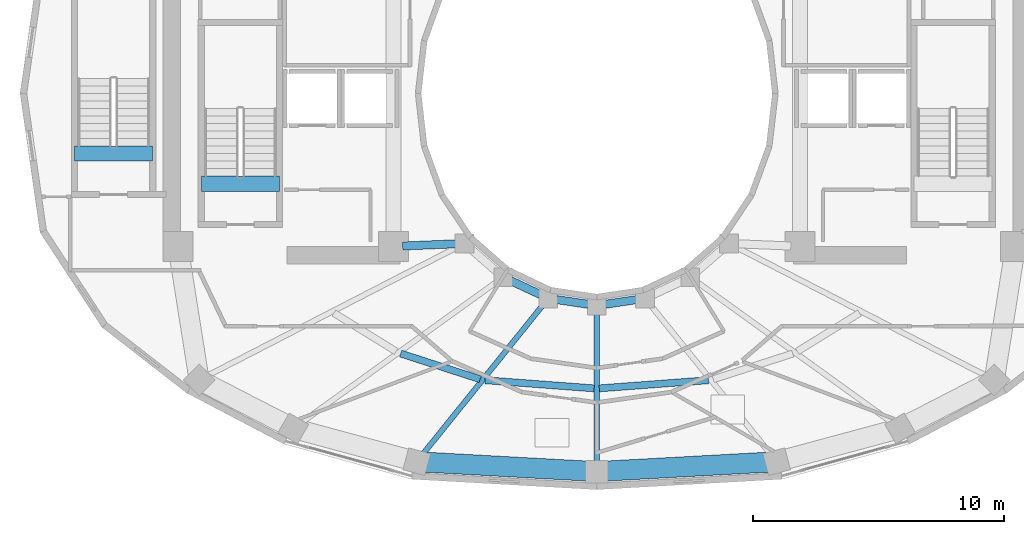
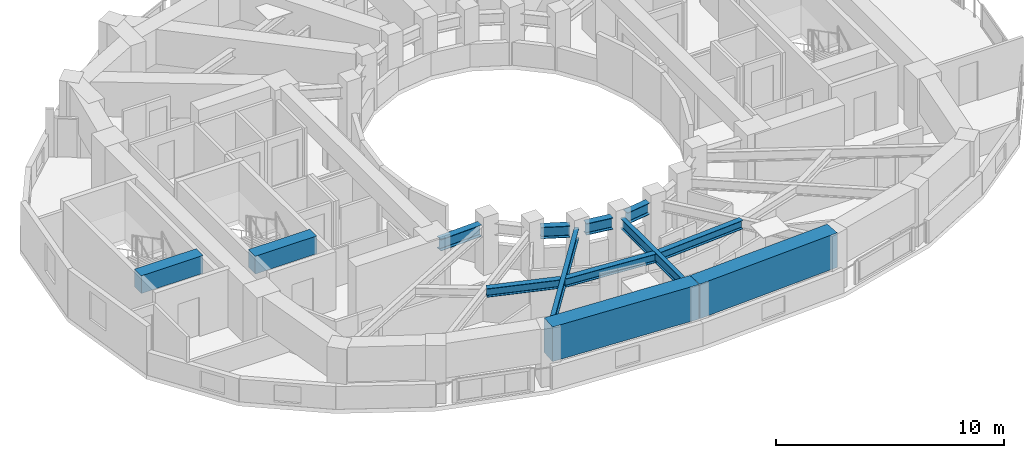
# One storey, part 3 of 20: 13 beams.
"""IFC4 building model written with IfcOpenShell, lengths in metres."""

from ifc_helpers import new_model, si_unit, direction, frame, origin, origin_2d, place, context, subcontext, project, spatial, rectangle, i_section, extrude, material, material_profile, profile_set, type_object, element, save


model = new_model("IFC4")

# Units and contexts
model_context = context("Model", 3, precision=1e-05, world=origin(), true_north=direction((0.0, 1.0)))
body_context = subcontext(model_context, "Body", "Model", "MODEL_VIEW")
ifc_project = project(units=[si_unit("LENGTHUNIT", "METRE"), si_unit("AREAUNIT", "SQUARE_METRE"), si_unit("VOLUMEUNIT", "CUBIC_METRE"), si_unit("PLANEANGLEUNIT", "RADIAN"), si_unit("MASSUNIT", "GRAM", prefix="KILO")], contexts=[model_context])

# Site, building, storey
site_placement = place(None, origin())
site = spatial("IfcSite", under=ifc_project, at=site_placement, CompositionType="ELEMENT")
building_placement = place(site_placement, origin())
building = spatial("IfcBuilding", under=site, at=building_placement, Name="Solvane Sanctuary Tower", CompositionType="ELEMENT")
storey_placement = place(building_placement, frame((0.0, 0.0, 159.10009765625)))
storey = spatial("IfcBuildingStorey", under=building, at=storey_placement, Name="L48", CompositionType="ELEMENT", Elevation=159.10009765625)

# Beams
ifc_material_1 = material(Name="Concrete C70/85", Category="concrete")
ifc_material_profile_1 = material_profile(ifc_material_1, rectangle(XDim=0.60009765625, YDim=0.949951171875, at=origin_2d()), Name="RC600X950")
ifc_profile_set_1 = profile_set([ifc_material_profile_1], Name="Concrete C70/85")
beam_type_1 = type_object("IfcBeamType", Name="Beam B-COUPLE RC600X950", PredefinedType="LINTEL", material=ifc_profile_set_1)
for number, where, z_axis, x_axis, name in (
    (1, (16.22998046875, 19.399169921875, 2.625), (1.0, 0.0, 0.0), (0.0, 1.0, 0.0), "L48 ST-1 Stair Floor Landing Trimmer"),
    (2, (11.169921875, 20.59912109375, 2.625), (1.0, 0.0, 0.0), (0.0, 1.0, 0.0), "L48 ST-3 Stair Floor Landing Trimmer"),
):
    element("IfcBeam", number, at=place(storey_placement, frame(where, z_axis=z_axis, x_axis=x_axis)), inside=storey, type_object=beam_type_1, Name=name, PredefinedType="LINTEL", context=body_context, shape_type="SweptSolid", body=[
        extrude(rectangle(XDim=0.60009765625, YDim=0.949951171875, at=origin_2d()), origin(), (0.0, 0.0, 1.0), 3.1201171875),
    ])
ifc_material_2 = material(Name="Steel ASTM A992 Grade 50", Category="steel")
ifc_material_profile_2 = material_profile(ifc_material_2, i_section(OverallWidth=0.214111328125, OverallDepth=0.549072265625, WebThickness=0.0146484375, FlangeThickness=0.023681640625, FilletRadius=0.014892578125, at=origin_2d()), Name="W21X93")
ifc_profile_set_2 = profile_set([ifc_material_profile_2], Name="Steel ASTM A992 Grade 50")
beam_type_2 = type_object("IfcBeamType", Name="Beam B-RAD-Z3 W21X93", PredefinedType="JOIST", material=ifc_profile_set_2)
beam_1_placement = place(storey_placement, frame((29.8935546875, 14.610107421875, 2.323486328125), z_axis=(-0.627296867999, -0.778780225352, 0.0), x_axis=(0.778780225352, -0.627296867999, 0.0)))
element("IfcBeam", 3, at=beam_1_placement, inside=storey, type_object=beam_type_2, Name="L48 Radial Composite Floor Beam 10", PredefinedType="JOIST", context=body_context, shape_type="SweptSolid", body=[
    extrude(i_section(OverallWidth=0.214111328125, OverallDepth=0.549072265625, WebThickness=0.0146484375, FlangeThickness=0.023681640625, FilletRadius=0.014892578125, at=origin_2d()), origin(), (0.0, 0.0, 1.0), 7.805419921875),
])
beam_2_placement = place(storey_placement, frame((32.0, 14.260009765625, 2.323486328125), z_axis=(0.0, -1.0, 0.0), x_axis=(1.0, 0.0, 0.0)))
element("IfcBeam", 4, at=beam_2_placement, inside=storey, type_object=beam_type_2, Name="L48 Radial Composite Floor Beam 11", PredefinedType="JOIST", context=body_context, shape_type="SweptSolid", body=[
    extrude(i_section(OverallWidth=0.214111328125, OverallDepth=0.549072265625, WebThickness=0.0146484375, FlangeThickness=0.023681640625, FilletRadius=0.014892578125, at=origin_2d()), origin(), (0.0, 0.0, 1.0), 6.06005859375),
])
ifc_material_profile_3 = material_profile(ifc_material_2, i_section(OverallWidth=0.324951171875, OverallDepth=0.615966796875, WebThickness=0.013916015625, FlangeThickness=0.021484375, FilletRadius=0.01611328125, at=origin_2d()), Name="W24X117")
ifc_profile_set_3 = profile_set([ifc_material_profile_3], Name="Steel ASTM A992 Grade 50")
beam_type_3 = type_object("IfcBeamType", Name="Beam B-RING-IN2 W24X117", PredefinedType="BEAM", material=ifc_profile_set_3)
beam_3_placement = place(storey_placement, frame((24.259765625, 16.9150390625, 2.289794921875), z_axis=(0.999132674336, 0.041640113759, 0.0), x_axis=(-0.041640113759, 0.999132674336, 0.0)))
element("IfcBeam", 5, at=beam_3_placement, inside=storey, type_object=beam_type_3, Name="L48 Inner Light-Well Ring Beam CW2-IC08", PredefinedType="BEAM", context=body_context, shape_type="SweptSolid", body=[
    extrude(i_section(OverallWidth=0.324951171875, OverallDepth=0.615966796875, WebThickness=0.013916015625, FlangeThickness=0.021484375, FilletRadius=0.01611328125, at=origin_2d()), origin(), (0.0, 0.0, 1.0), 2.12255859375),
])
beam_4_placement = place(storey_placement, frame((28.582275390625, 15.526611328125, 2.289794921875), z_axis=(0.9051808128, -0.425026700502, 0.0), x_axis=(0.425026700502, 0.9051808128, 0.0)))
element("IfcBeam", 6, at=beam_4_placement, inside=storey, type_object=beam_type_3, Name="L48 Inner Light-Well Ring Beam IC09-IC10", PredefinedType="BEAM", context=body_context, shape_type="SweptSolid", body=[
    extrude(i_section(OverallWidth=0.324951171875, OverallDepth=0.615966796875, WebThickness=0.013916015625, FlangeThickness=0.021484375, FilletRadius=0.01611328125, at=origin_2d()), origin(), (0.0, 0.0, 1.0), 1.297607421875),
])
for number, where, z_axis, x_axis, name in (
    (7, (30.410400390625, 14.77734375, 2.289794921875), (0.989019905763, -0.147782360259, 0.0), (0.147782360259, 0.989019905763, 0.0), "L48 Inner Light-Well Ring Beam IC10-IC11"),
    (8, (32.34130859375, 14.5908203125, 2.289794921875), (0.989019905763, 0.147782360259, 0.0), (-0.147782360259, 0.989019905763, 0.0), "L48 Inner Light-Well Ring Beam IC11-IC12"),
):
    element("IfcBeam", number, at=place(storey_placement, frame(where, z_axis=z_axis, x_axis=x_axis)), inside=storey, type_object=beam_type_3, Name=name, PredefinedType="BEAM", context=body_context, shape_type="SweptSolid", body=[
        extrude(i_section(OverallWidth=0.324951171875, OverallDepth=0.615966796875, WebThickness=0.013916015625, FlangeThickness=0.021484375, FilletRadius=0.01611328125, at=origin_2d()), origin(), (0.0, 0.0, 1.0), 1.26220703125),
    ])
ifc_material_profile_4 = material_profile(ifc_material_2, i_section(OverallWidth=0.280029296875, OverallDepth=0.462890625, WebThickness=0.0107421875, FlangeThickness=0.017333984375, FilletRadius=0.013916015625, at=origin_2d()), Name="W18X76")
ifc_profile_set_4 = profile_set([ifc_material_profile_4], Name="Steel ASTM A992 Grade 50")
beam_type_4 = type_object("IfcBeamType", Name="Beam B-SEC-JOIST W18X76", PredefinedType="JOIST", material=ifc_profile_set_4)
beam_5_placement = place(storey_placement, frame((24.18310546875, 12.625732421875, 2.366455078125), z_axis=(0.951499502658, -0.307650282695, 0.0), x_axis=(0.307650282695, 0.951499502658, 0.0)))
element("IfcBeam", 9, at=beam_5_placement, inside=storey, type_object=beam_type_4, Name="L48 Secondary Circumferential Joist 09-10", PredefinedType="JOIST", context=body_context, shape_type="SweptSolid", body=[
    extrude(i_section(OverallWidth=0.280029296875, OverallDepth=0.462890625, WebThickness=0.0107421875, FlangeThickness=0.017333984375, FilletRadius=0.013916015625, at=origin_2d()), origin(), (0.0, 0.0, 1.0), 3.32666015625),
])
for number, where, z_axis, x_axis, name in (
    (10, (27.547119140625, 11.563232421875, 2.366455078125), (0.99721035762, -0.074642498994, 0.0), (0.074642498994, 0.99721035762, 0.0), "L48 Secondary Circumferential Joist 10-11"),
    (11, (32.101806640625, 11.237548828125, 2.366455078125), (0.99721035762, 0.074642498994, 0.0), (-0.074642498994, 0.99721035762, 0.0), "L48 Secondary Circumferential Joist 11-12"),
):
    element("IfcBeam", number, at=place(storey_placement, frame(where, z_axis=z_axis, x_axis=x_axis)), inside=storey, type_object=beam_type_4, Name=name, PredefinedType="JOIST", context=body_context, shape_type="SweptSolid", body=[
        extrude(i_section(OverallWidth=0.280029296875, OverallDepth=0.462890625, WebThickness=0.0107421875, FlangeThickness=0.017333984375, FilletRadius=0.013916015625, at=origin_2d()), origin(), (0.0, 0.0, 1.0), 4.36328125),
    ])
ifc_material_profile_5 = material_profile(ifc_material_1, rectangle(XDim=0.800048828125, YDim=1.85009765625, at=origin_2d()), Name="RC800X1850")
ifc_profile_set_5 = profile_set([ifc_material_profile_5], Name="Concrete C70/85")
beam_type_5 = type_object("IfcBeamType", Name="Beam B-XFER-BLK RC800X1850", PredefinedType="BEAM", material=ifc_profile_set_5)
for number, where, z_axis, x_axis, name in (
    (12, (24.82177734375, 8.313232421875, 2.1748046875), (0.998502279385, -0.054710127613, 0.0), (0.054710127613, 0.998502279385, 0.0), "L48 Perimeter Step Transfer Ring NTC10-NTC11"),
    (13, (32.0, 7.919921875, 2.1748046875), (0.998502279385, 0.054710127613, 0.0), (-0.054710127613, 0.998502279385, 0.0), "L48 Perimeter Step Transfer Ring NTC11-NTC12"),
):
    element("IfcBeam", number, at=place(storey_placement, frame(where, z_axis=z_axis, x_axis=x_axis)), inside=storey, type_object=beam_type_5, Name=name, PredefinedType="BEAM", context=body_context, shape_type="SweptSolid", body=[
        extrude(rectangle(XDim=0.800048828125, YDim=1.85009765625, at=origin_2d()), origin(), (0.0, 0.0, 1.0), 7.18896484375),
    ])

save(model, "model.ifc")
